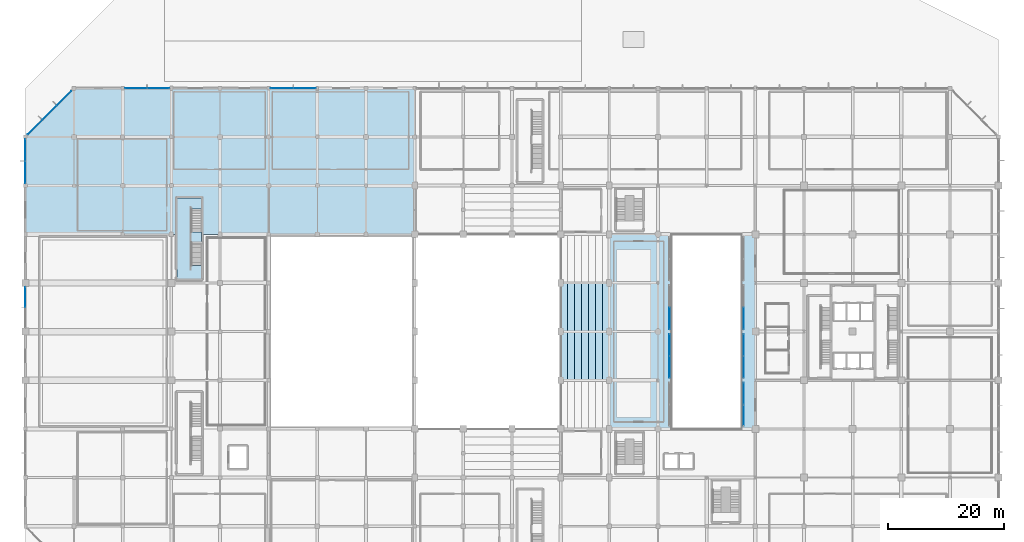
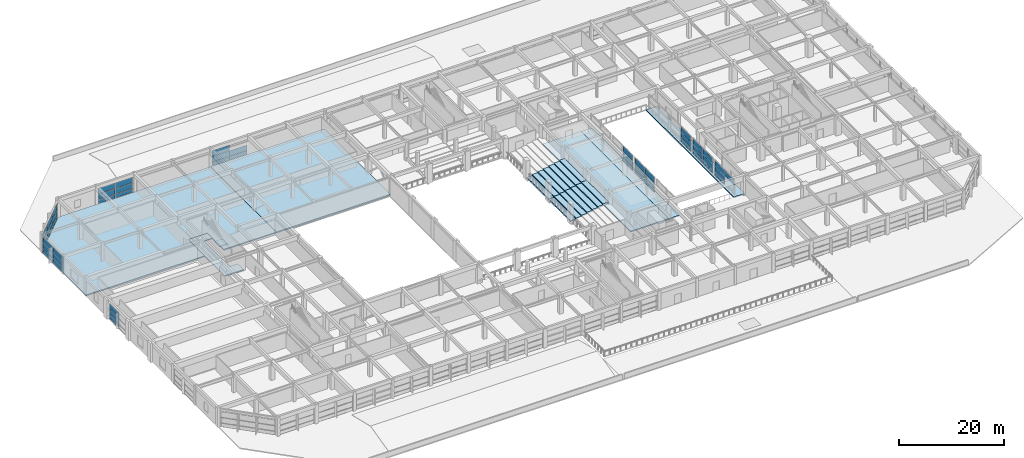
# One storey, part 38 of 60: 51 plates, 9 slabs, 11 elements without a shape of their own.
"""IFC4 building model written with IfcOpenShell, lengths in metres."""

from ifc_helpers import new_model, si_unit, direction, frame, origin, origin_2d, place, context, subcontext, project, spatial, polyline, rectangle, outline, extrude, material, layer, layer_set, type_object, element, aggregate, save


model = new_model("IFC4")

# Units and contexts
model_context = context("Model", 3, precision=1e-05, world=origin(), true_north=direction((0.0, 1.0)))
body_context = subcontext(model_context, "Body", "Model", "MODEL_VIEW")
ifc_project = project(units=[si_unit("LENGTHUNIT", "METRE"), si_unit("AREAUNIT", "SQUARE_METRE"), si_unit("VOLUMEUNIT", "CUBIC_METRE"), si_unit("PLANEANGLEUNIT", "RADIAN"), si_unit("MASSUNIT", "GRAM", prefix="KILO")], contexts=[model_context])

# Site, building, storey
site_placement = place(None, origin())
site = spatial("IfcSite", under=ifc_project, at=site_placement, CompositionType="ELEMENT")
building_placement = place(site_placement, origin())
building = spatial("IfcBuilding", under=site, at=building_placement, Name="Xuanlan Plaza Opera House", CompositionType="ELEMENT")
storey_placement = place(building_placement, frame((0.0, 0.0, 9.89990234375)))
storey = spatial("IfcBuildingStorey", under=building, at=storey_placement, Name="L02", CompositionType="ELEMENT", Elevation=9.89990234375)

# Curtain wall, plates
ifc_material_1 = material(Name="Anodised Aluminium 6063-T6 and Low-E Glass", Category="aluminium")
curtain_wall_type_1 = type_object("IfcCurtainWallType", Name="ENV-CW-CW-03", PredefinedType="USERDEFINED", material=ifc_material_1)
curtain_wall_1_placement = place(storey_placement, origin())
curtain_wall_1 = element("IfcCurtainWall", 1, at=curtain_wall_1_placement, inside=storey, type_object=curtain_wall_type_1, Name="Unitised Curtain Wall L02-051", ObjectType="UNITISED CURTAIN WALL", PredefinedType="USERDEFINED")
ifc_material_2 = material(Name="Laminated Acoustic Double Glazing", Category="glass")
ifc_layer_1 = layer(ifc_material_2, 0.031982421875)
ifc_layer_set_1 = layer_set([ifc_layer_1], Name="Laminated Acoustic Double Glazing")
plate_type_1 = type_object("IfcPlateType", Name="ENV-CWP-02", PredefinedType="CURTAIN_PANEL", material=ifc_layer_set_1)
plate_1_placement = place(storey_placement, frame((0.0, 64.767578125, 0.065185546875), z_axis=(0.0, 0.0, 1.0), x_axis=(0.0, -1.0, 0.0)))
plate_1 = element("IfcPlate", 2, at=plate_1_placement, type_object=plate_type_1, Name="CW-03 panel 1.1", PredefinedType="CURTAIN_PANEL", context=body_context, shape_type="SweptSolid", body=[
    extrude(rectangle(XDim=3.445068359375, YDim=0.031982421875, at=origin_2d()), origin(), (0.0, 0.0, 1.0), 0.8525390625),
])
plate_2_placement = place(storey_placement, frame((0.0, 64.767578125, 0.982421875), z_axis=(0.0, 0.0, 1.0), x_axis=(0.0, -1.0, 0.0)))
plate_2 = element("IfcPlate", 3, at=plate_2_placement, type_object=plate_type_1, Name="CW-03 panel 1.2", PredefinedType="CURTAIN_PANEL", context=body_context, shape_type="SweptSolid", body=[
    extrude(rectangle(XDim=3.445068359375, YDim=0.031982421875, at=origin_2d()), origin(), (0.0, 0.0, 1.0), 1.235107421875),
])
plate_3_placement = place(storey_placement, frame((0.0, 64.767578125, 2.282470703125), z_axis=(0.0, 0.0, 1.0), x_axis=(0.0, -1.0, 0.0)))
plate_3 = element("IfcPlate", 4, at=plate_3_placement, type_object=plate_type_1, Name="CW-03 panel 1.3", PredefinedType="CURTAIN_PANEL", context=body_context, shape_type="SweptSolid", body=[
    extrude(rectangle(XDim=3.445068359375, YDim=0.031982421875, at=origin_2d()), origin(), (0.0, 0.0, 1.0), 1.33251953125),
])
aggregate(curtain_wall_1, [plate_1, plate_2, plate_3])

curtain_wall_type_2 = type_object("IfcCurtainWallType", Name="ENV-CW-CW-04", PredefinedType="USERDEFINED", material=ifc_material_1)
curtain_wall_2_placement = place(storey_placement, origin())
curtain_wall_2 = element("IfcCurtainWall", 5, at=curtain_wall_2_placement, inside=storey, type_object=curtain_wall_type_2, Name="Unitised Curtain Wall L02-048", ObjectType="UNITISED CURTAIN WALL", PredefinedType="USERDEFINED")
ifc_layer_2 = layer(ifc_material_2, 0.035888671875)
ifc_layer_set_2 = layer_set([ifc_layer_2], Name="Laminated Acoustic Double Glazing")
plate_type_2 = type_object("IfcPlateType", Name="ENV-CWP-03", PredefinedType="CURTAIN_PANEL", material=ifc_layer_set_2)
plate_4_placement = place(storey_placement, frame((0.0, 90.135009765625, 0.090087890625), z_axis=(0.0, 0.0, 1.0), x_axis=(0.0, -1.0, 0.0)))
plate_4 = element("IfcPlate", 6, at=plate_4_placement, type_object=plate_type_2, Name="CW-04 panel 1.1", PredefinedType="CURTAIN_PANEL", context=body_context, shape_type="SweptSolid", body=[
    extrude(rectangle(XDim=3.75, YDim=0.035888671875, at=origin_2d()), origin(), (0.0, 0.0, 1.0), 0.81494140625),
])
plate_5_placement = place(storey_placement, frame((0.0, 90.135009765625, 0.9951171875), z_axis=(0.0, 0.0, 1.0), x_axis=(0.0, -1.0, 0.0)))
plate_5 = element("IfcPlate", 7, at=plate_5_placement, type_object=plate_type_2, Name="CW-04 panel 1.2", PredefinedType="CURTAIN_PANEL", context=body_context, shape_type="SweptSolid", body=[
    extrude(rectangle(XDim=3.75, YDim=0.035888671875, at=origin_2d()), origin(), (0.0, 0.0, 1.0), 1.2099609375),
])
plate_6_placement = place(storey_placement, frame((0.0, 90.135009765625, 2.295166015625), z_axis=(0.0, 0.0, 1.0), x_axis=(0.0, -1.0, 0.0)))
plate_6 = element("IfcPlate", 8, at=plate_6_placement, type_object=plate_type_2, Name="CW-04 panel 1.3", PredefinedType="CURTAIN_PANEL", context=body_context, shape_type="SweptSolid", body=[
    extrude(rectangle(XDim=3.75, YDim=0.035888671875, at=origin_2d()), origin(), (0.0, 0.0, 1.0), 1.294921875),
])
plate_7_placement = place(storey_placement, frame((0.0, 86.31494140625, 0.090087890625), z_axis=(0.0, 0.0, 1.0), x_axis=(0.0, -1.0, 0.0)))
plate_7 = element("IfcPlate", 9, at=plate_7_placement, type_object=plate_type_2, Name="CW-04 panel 2.1", PredefinedType="CURTAIN_PANEL", context=body_context, shape_type="SweptSolid", body=[
    extrude(rectangle(XDim=3.75, YDim=0.035888671875, at=origin_2d()), origin(), (0.0, 0.0, 1.0), 0.81494140625),
])
plate_8_placement = place(storey_placement, frame((0.0, 86.31494140625, 0.9951171875), z_axis=(0.0, 0.0, 1.0), x_axis=(0.0, -1.0, 0.0)))
plate_8 = element("IfcPlate", 10, at=plate_8_placement, type_object=plate_type_2, Name="CW-04 panel 2.2", PredefinedType="CURTAIN_PANEL", context=body_context, shape_type="SweptSolid", body=[
    extrude(rectangle(XDim=3.75, YDim=0.035888671875, at=origin_2d()), origin(), (0.0, 0.0, 1.0), 1.2099609375),
])
plate_9_placement = place(storey_placement, frame((0.0, 86.31494140625, 2.295166015625), z_axis=(0.0, 0.0, 1.0), x_axis=(0.0, -1.0, 0.0)))
plate_9 = element("IfcPlate", 11, at=plate_9_placement, type_object=plate_type_2, Name="CW-04 panel 2.3", PredefinedType="CURTAIN_PANEL", context=body_context, shape_type="SweptSolid", body=[
    extrude(rectangle(XDim=3.75, YDim=0.035888671875, at=origin_2d()), origin(), (0.0, 0.0, 1.0), 1.294921875),
])
aggregate(curtain_wall_2, [plate_4, plate_5, plate_6, plate_7, plate_8, plate_9])

curtain_wall_type_3 = type_object("IfcCurtainWallType", Name="ENV-CW-CW-01", PredefinedType="USERDEFINED", material=ifc_material_1)
curtain_wall_3_placement = place(storey_placement, origin())
curtain_wall_3 = element("IfcCurtainWall", 12, at=curtain_wall_3_placement, inside=storey, type_object=curtain_wall_type_3, Name="Unitised Curtain Wall L02-045", ObjectType="UNITISED CURTAIN WALL", PredefinedType="USERDEFINED")
ifc_layer_3 = layer(ifc_material_2, 0.0400390625)
ifc_layer_set_3 = layer_set([ifc_layer_3], Name="Laminated Acoustic Double Glazing")
plate_type_3 = type_object("IfcPlateType", Name="ENV-CWP-04", PredefinedType="CURTAIN_PANEL", material=ifc_layer_set_3)
plate_10_placement = place(storey_placement, frame((22.95751953125, 100.800048828125, 0.080078125), z_axis=(0.0, 0.0, 1.0), x_axis=(-1.0, 0.0, 0.0)))
plate_10 = element("IfcPlate", 13, at=plate_10_placement, type_object=plate_type_3, Name="CW-01 panel 1.1", PredefinedType="CURTAIN_PANEL", context=body_context, shape_type="SweptSolid", body=[
    extrude(rectangle(XDim=3.784912109375, YDim=0.0400390625, at=origin_2d()), origin(), (0.0, 0.0, 1.0), 0.830078125),
])
plate_11_placement = place(storey_placement, frame((22.95751953125, 100.800048828125, 0.990234375), z_axis=(0.0, 0.0, 1.0), x_axis=(-1.0, 0.0, 0.0)))
plate_11 = element("IfcPlate", 14, at=plate_11_placement, type_object=plate_type_3, Name="CW-01 panel 1.2", PredefinedType="CURTAIN_PANEL", context=body_context, shape_type="SweptSolid", body=[
    extrude(rectangle(XDim=3.784912109375, YDim=0.0400390625, at=origin_2d()), origin(), (0.0, 0.0, 1.0), 1.219970703125),
])
plate_12_placement = place(storey_placement, frame((22.95751953125, 100.800048828125, 2.2900390625), z_axis=(0.0, 0.0, 1.0), x_axis=(-1.0, 0.0, 0.0)))
plate_12 = element("IfcPlate", 15, at=plate_12_placement, type_object=plate_type_3, Name="CW-01 panel 1.3", PredefinedType="CURTAIN_PANEL", context=body_context, shape_type="SweptSolid", body=[
    extrude(rectangle(XDim=3.784912109375, YDim=0.0400390625, at=origin_2d()), origin(), (0.0, 0.0, 1.0), 1.31005859375),
])
plate_13_placement = place(storey_placement, frame((19.092529296875, 100.800048828125, 0.080078125), z_axis=(0.0, 0.0, 1.0), x_axis=(-1.0, 0.0, 0.0)))
plate_13 = element("IfcPlate", 16, at=plate_13_placement, type_object=plate_type_3, Name="CW-01 panel 2.1", PredefinedType="CURTAIN_PANEL", context=body_context, shape_type="SweptSolid", body=[
    extrude(rectangle(XDim=3.784912109375, YDim=0.0400390625, at=origin_2d()), origin(), (0.0, 0.0, 1.0), 0.830078125),
])
plate_14_placement = place(storey_placement, frame((19.092529296875, 100.800048828125, 0.990234375), z_axis=(0.0, 0.0, 1.0), x_axis=(-1.0, 0.0, 0.0)))
plate_14 = element("IfcPlate", 17, at=plate_14_placement, type_object=plate_type_3, Name="CW-01 panel 2.2", PredefinedType="CURTAIN_PANEL", context=body_context, shape_type="SweptSolid", body=[
    extrude(rectangle(XDim=3.784912109375, YDim=0.0400390625, at=origin_2d()), origin(), (0.0, 0.0, 1.0), 1.219970703125),
])
plate_15_placement = place(storey_placement, frame((19.092529296875, 100.800048828125, 2.2900390625), z_axis=(0.0, 0.0, 1.0), x_axis=(-1.0, 0.0, 0.0)))
plate_15 = element("IfcPlate", 18, at=plate_15_placement, type_object=plate_type_3, Name="CW-01 panel 2.3", PredefinedType="CURTAIN_PANEL", context=body_context, shape_type="SweptSolid", body=[
    extrude(rectangle(XDim=3.784912109375, YDim=0.0400390625, at=origin_2d()), origin(), (0.0, 0.0, 1.0), 1.31005859375),
])
aggregate(curtain_wall_3, [plate_10, plate_11, plate_12, plate_13, plate_14, plate_15])

curtain_wall_type_4 = type_object("IfcCurtainWallType", Name="ENV-CW-CW-02", PredefinedType="USERDEFINED", material=ifc_material_1)
curtain_wall_4_placement = place(storey_placement, origin())
curtain_wall_4 = element("IfcCurtainWall", 19, at=curtain_wall_4_placement, inside=storey, type_object=curtain_wall_type_4, Name="Unitised Curtain Wall L02-042", ObjectType="UNITISED CURTAIN WALL", PredefinedType="USERDEFINED")
ifc_layer_4 = layer(ifc_material_2, 0.0439453125)
ifc_layer_set_4 = layer_set([ifc_layer_4], Name="Laminated Acoustic Double Glazing")
plate_type_4 = type_object("IfcPlateType", Name="ENV-CWP-05", PredefinedType="CURTAIN_PANEL", material=ifc_layer_set_4)
plate_16_placement = place(storey_placement, frame((48.179931640625, 100.800048828125, 0.0751953125), z_axis=(0.0, 0.0, 1.0), x_axis=(-1.0, 0.0, 0.0)))
plate_16 = element("IfcPlate", 20, at=plate_16_placement, type_object=plate_type_4, Name="CW-02 panel 1.1", PredefinedType="CURTAIN_PANEL", context=body_context, shape_type="SweptSolid", body=[
    extrude(rectangle(XDim=3.820068359375, YDim=0.0439453125, at=origin_2d()), origin(), (0.0, 0.0, 1.0), 0.83740234375),
])
plate_17_placement = place(storey_placement, frame((48.179931640625, 100.800048828125, 0.987548828125), z_axis=(0.0, 0.0, 1.0), x_axis=(-1.0, 0.0, 0.0)))
plate_17 = element("IfcPlate", 21, at=plate_17_placement, type_object=plate_type_4, Name="CW-02 panel 1.2", PredefinedType="CURTAIN_PANEL", context=body_context, shape_type="SweptSolid", body=[
    extrude(rectangle(XDim=3.820068359375, YDim=0.0439453125, at=origin_2d()), origin(), (0.0, 0.0, 1.0), 1.22509765625),
])
plate_18_placement = place(storey_placement, frame((44.294921875, 100.800048828125, 0.0751953125), z_axis=(0.0, 0.0, 1.0), x_axis=(-1.0, 0.0, 0.0)))
plate_18 = element("IfcPlate", 22, at=plate_18_placement, type_object=plate_type_4, Name="CW-02 panel 2.1", PredefinedType="CURTAIN_PANEL", context=body_context, shape_type="SweptSolid", body=[
    extrude(rectangle(XDim=3.820068359375, YDim=0.0439453125, at=origin_2d()), origin(), (0.0, 0.0, 1.0), 0.83740234375),
])
plate_19_placement = place(storey_placement, frame((44.294921875, 100.800048828125, 0.987548828125), z_axis=(0.0, 0.0, 1.0), x_axis=(-1.0, 0.0, 0.0)))
plate_19 = element("IfcPlate", 23, at=plate_19_placement, type_object=plate_type_4, Name="CW-02 panel 2.2", PredefinedType="CURTAIN_PANEL", context=body_context, shape_type="SweptSolid", body=[
    extrude(rectangle(XDim=3.820068359375, YDim=0.0439453125, at=origin_2d()), origin(), (0.0, 0.0, 1.0), 1.22509765625),
])
plate_20_placement = place(storey_placement, frame((44.294921875, 100.800048828125, 2.28759765625), z_axis=(0.0, 0.0, 1.0), x_axis=(-1.0, 0.0, 0.0)))
plate_20 = element("IfcPlate", 24, at=plate_20_placement, type_object=plate_type_4, Name="CW-02 panel 2.3", PredefinedType="CURTAIN_PANEL", context=body_context, shape_type="SweptSolid", body=[
    extrude(rectangle(XDim=3.820068359375, YDim=0.0439453125, at=origin_2d()), origin(), (0.0, 0.0, 1.0), 1.3173828125),
])
aggregate(curtain_wall_4, [plate_16, plate_17, plate_18, plate_19, plate_20])

curtain_wall_5_placement = place(storey_placement, origin())
curtain_wall_5 = element("IfcCurtainWall", 25, at=curtain_wall_5_placement, inside=storey, type_object=curtain_wall_type_1, Name="Unitised Curtain Wall L02-047", ObjectType="UNITISED CURTAIN WALL", PredefinedType="USERDEFINED")
plate_21_placement = place(storey_placement, frame((6.680908203125, 99.080810546875, 0.0751953125), z_axis=(0.0, 0.0, 1.0), x_axis=(-0.707106781187, -0.707106781187, 0.0)))
plate_21 = element("IfcPlate", 26, at=plate_21_placement, type_object=plate_type_4, Name="CW-03 panel 1.1", PredefinedType="CURTAIN_PANEL", context=body_context, shape_type="SweptSolid", body=[
    extrude(rectangle(XDim=3.462646484375, YDim=0.0439453125, at=origin_2d()), origin(), (0.0, 0.0, 1.0), 0.83740234375),
])
plate_22_placement = place(storey_placement, frame((6.680908203125, 99.080810546875, 0.987548828125), z_axis=(0.0, 0.0, 1.0), x_axis=(-0.707106781187, -0.707106781187, 0.0)))
plate_22 = element("IfcPlate", 27, at=plate_22_placement, type_object=plate_type_4, Name="CW-03 panel 1.2", PredefinedType="CURTAIN_PANEL", context=body_context, shape_type="SweptSolid", body=[
    extrude(rectangle(XDim=3.462646484375, YDim=0.0439453125, at=origin_2d()), origin(), (0.0, 0.0, 1.0), 1.22509765625),
])
plate_23_placement = place(storey_placement, frame((6.680908203125, 99.080810546875, 2.28759765625), z_axis=(0.0, 0.0, 1.0), x_axis=(-0.707106781187, -0.707106781187, 0.0)))
plate_23 = element("IfcPlate", 28, at=plate_23_placement, type_object=plate_type_4, Name="CW-03 panel 1.3", PredefinedType="CURTAIN_PANEL", context=body_context, shape_type="SweptSolid", body=[
    extrude(rectangle(XDim=3.462646484375, YDim=0.0439453125, at=origin_2d()), origin(), (0.0, 0.0, 1.0), 1.3173828125),
])
plate_24_placement = place(storey_placement, frame((4.175048828125, 96.574951171875, 0.0751953125), z_axis=(0.0, 0.0, 1.0), x_axis=(-0.707106781187, -0.707106781187, 0.0)))
plate_24 = element("IfcPlate", 29, at=plate_24_placement, type_object=plate_type_4, Name="CW-03 panel 2.1", PredefinedType="CURTAIN_PANEL", context=body_context, shape_type="SweptSolid", body=[
    extrude(rectangle(XDim=3.4951171875, YDim=0.0439453125, at=origin_2d()), origin(), (0.0, 0.0, 1.0), 0.83740234375),
])
plate_25_placement = place(storey_placement, frame((4.175048828125, 96.574951171875, 0.987548828125), z_axis=(0.0, 0.0, 1.0), x_axis=(-0.707106781187, -0.707106781187, 0.0)))
plate_25 = element("IfcPlate", 30, at=plate_25_placement, type_object=plate_type_4, Name="CW-03 panel 2.2", PredefinedType="CURTAIN_PANEL", context=body_context, shape_type="SweptSolid", body=[
    extrude(rectangle(XDim=3.4951171875, YDim=0.0439453125, at=origin_2d()), origin(), (0.0, 0.0, 1.0), 1.22509765625),
])
plate_26_placement = place(storey_placement, frame((4.175048828125, 96.574951171875, 2.28759765625), z_axis=(0.0, 0.0, 1.0), x_axis=(-0.707106781187, -0.707106781187, 0.0)))
plate_26 = element("IfcPlate", 31, at=plate_26_placement, type_object=plate_type_4, Name="CW-03 panel 2.3", PredefinedType="CURTAIN_PANEL", context=body_context, shape_type="SweptSolid", body=[
    extrude(rectangle(XDim=3.4951171875, YDim=0.0439453125, at=origin_2d()), origin(), (0.0, 0.0, 1.0), 1.3173828125),
])
plate_27_placement = place(storey_placement, frame((1.669189453125, 94.069091796875, 0.0751953125), z_axis=(0.0, 0.0, 1.0), x_axis=(-0.707106781187, -0.707106781187, 0.0)))
plate_27 = element("IfcPlate", 32, at=plate_27_placement, type_object=plate_type_4, Name="CW-03 panel 3.1", PredefinedType="CURTAIN_PANEL", context=body_context, shape_type="SweptSolid", body=[
    extrude(rectangle(XDim=3.462646484375, YDim=0.0439453125, at=origin_2d()), origin(), (0.0, 0.0, 1.0), 0.83740234375),
])
plate_28_placement = place(storey_placement, frame((1.669189453125, 94.069091796875, 0.987548828125), z_axis=(0.0, 0.0, 1.0), x_axis=(-0.707106781187, -0.707106781187, 0.0)))
plate_28 = element("IfcPlate", 33, at=plate_28_placement, type_object=plate_type_4, Name="CW-03 panel 3.2", PredefinedType="CURTAIN_PANEL", context=body_context, shape_type="SweptSolid", body=[
    extrude(rectangle(XDim=3.462646484375, YDim=0.0439453125, at=origin_2d()), origin(), (0.0, 0.0, 1.0), 1.22509765625),
])
plate_29_placement = place(storey_placement, frame((1.669189453125, 94.069091796875, 2.28759765625), z_axis=(0.0, 0.0, 1.0), x_axis=(-0.707106781187, -0.707106781187, 0.0)))
plate_29 = element("IfcPlate", 34, at=plate_29_placement, type_object=plate_type_4, Name="CW-03 panel 3.3", PredefinedType="CURTAIN_PANEL", context=body_context, shape_type="SweptSolid", body=[
    extrude(rectangle(XDim=3.462646484375, YDim=0.0439453125, at=origin_2d()), origin(), (0.0, 0.0, 1.0), 1.3173828125),
])
aggregate(curtain_wall_5, [plate_21, plate_22, plate_23, plate_24, plate_25, plate_26, plate_27, plate_28, plate_29])

curtain_wall_type_5 = type_object("IfcCurtainWallType", Name="ENV-CW-CW-06", PredefinedType="USERDEFINED", material=ifc_material_1)
curtain_wall_6_placement = place(storey_placement, origin())
curtain_wall_6 = element("IfcCurtainWall", 35, at=curtain_wall_6_placement, inside=storey, type_object=curtain_wall_type_5, Name="Acoustic Glazed Wall ATR-L02-12", ObjectType="ACOUSTIC GLAZED WALL", PredefinedType="USERDEFINED")
plate_30_placement = place(storey_placement, frame((111.199951171875, 52.697509765625, 0.090087890625), z_axis=(0.0, 0.0, 1.0), x_axis=(0.0, 1.0, 0.0)))
plate_30 = element("IfcPlate", 36, at=plate_30_placement, type_object=plate_type_4, Name="CW-06 panel 1.1", PredefinedType="CURTAIN_PANEL", context=body_context, shape_type="SweptSolid", body=[
    extrude(rectangle(XDim=3.715087890625, YDim=0.0439453125, at=origin_2d()), origin(), (0.0, 0.0, 1.0), 0.81494140625),
])
plate_31_placement = place(storey_placement, frame((111.199951171875, 52.697509765625, 0.9951171875), z_axis=(0.0, 0.0, 1.0), x_axis=(0.0, 1.0, 0.0)))
plate_31 = element("IfcPlate", 37, at=plate_31_placement, type_object=plate_type_4, Name="CW-06 panel 1.2", PredefinedType="CURTAIN_PANEL", context=body_context, shape_type="SweptSolid", body=[
    extrude(rectangle(XDim=3.715087890625, YDim=0.0439453125, at=origin_2d()), origin(), (0.0, 0.0, 1.0), 1.2099609375),
])
plate_32_placement = place(storey_placement, frame((111.199951171875, 52.697509765625, 2.295166015625), z_axis=(0.0, 0.0, 1.0), x_axis=(0.0, 1.0, 0.0)))
plate_32 = element("IfcPlate", 38, at=plate_32_placement, type_object=plate_type_4, Name="CW-06 panel 1.3", PredefinedType="CURTAIN_PANEL", context=body_context, shape_type="SweptSolid", body=[
    extrude(rectangle(XDim=3.715087890625, YDim=0.0439453125, at=origin_2d()), origin(), (0.0, 0.0, 1.0), 1.294921875),
])
plate_33_placement = place(storey_placement, frame((111.199951171875, 56.50244140625, 0.090087890625), z_axis=(0.0, 0.0, 1.0), x_axis=(0.0, 1.0, 0.0)))
plate_33 = element("IfcPlate", 39, at=plate_33_placement, type_object=plate_type_4, Name="CW-06 panel 2.1", PredefinedType="CURTAIN_PANEL", context=body_context, shape_type="SweptSolid", body=[
    extrude(rectangle(XDim=3.715087890625, YDim=0.0439453125, at=origin_2d()), origin(), (0.0, 0.0, 1.0), 0.81494140625),
])
plate_34_placement = place(storey_placement, frame((111.199951171875, 56.50244140625, 0.9951171875), z_axis=(0.0, 0.0, 1.0), x_axis=(0.0, 1.0, 0.0)))
plate_34 = element("IfcPlate", 40, at=plate_34_placement, type_object=plate_type_4, Name="CW-06 panel 2.2", PredefinedType="CURTAIN_PANEL", context=body_context, shape_type="SweptSolid", body=[
    extrude(rectangle(XDim=3.715087890625, YDim=0.0439453125, at=origin_2d()), origin(), (0.0, 0.0, 1.0), 1.2099609375),
])
plate_35_placement = place(storey_placement, frame((111.199951171875, 56.50244140625, 2.295166015625), z_axis=(0.0, 0.0, 1.0), x_axis=(0.0, 1.0, 0.0)))
plate_35 = element("IfcPlate", 41, at=plate_35_placement, type_object=plate_type_4, Name="CW-06 panel 2.3", PredefinedType="CURTAIN_PANEL", context=body_context, shape_type="SweptSolid", body=[
    extrude(rectangle(XDim=3.715087890625, YDim=0.0439453125, at=origin_2d()), origin(), (0.0, 0.0, 1.0), 1.294921875),
])
aggregate(curtain_wall_6, [plate_30, plate_31, plate_32, plate_33, plate_34, plate_35])

curtain_wall_7_placement = place(storey_placement, origin())
curtain_wall_7 = element("IfcCurtainWall", 42, at=curtain_wall_7_placement, inside=storey, type_object=curtain_wall_type_5, Name="Acoustic Glazed Wall ATR-L02-13", ObjectType="ACOUSTIC GLAZED WALL", PredefinedType="USERDEFINED")
plate_36_placement = place(storey_placement, frame((111.199951171875, 61.097412109375, 0.090087890625), z_axis=(0.0, 0.0, 1.0), x_axis=(0.0, 1.0, 0.0)))
plate_36 = element("IfcPlate", 43, at=plate_36_placement, type_object=plate_type_4, Name="CW-06 panel 1.1", PredefinedType="CURTAIN_PANEL", context=body_context, shape_type="SweptSolid", body=[
    extrude(rectangle(XDim=3.715087890625, YDim=0.0439453125, at=origin_2d()), origin(), (0.0, 0.0, 1.0), 0.81494140625),
])
plate_37_placement = place(storey_placement, frame((111.199951171875, 61.097412109375, 0.9951171875), z_axis=(0.0, 0.0, 1.0), x_axis=(0.0, 1.0, 0.0)))
plate_37 = element("IfcPlate", 44, at=plate_37_placement, type_object=plate_type_4, Name="CW-06 panel 1.2", PredefinedType="CURTAIN_PANEL", context=body_context, shape_type="SweptSolid", body=[
    extrude(rectangle(XDim=3.715087890625, YDim=0.0439453125, at=origin_2d()), origin(), (0.0, 0.0, 1.0), 1.2099609375),
])
plate_38_placement = place(storey_placement, frame((111.199951171875, 61.097412109375, 2.295166015625), z_axis=(0.0, 0.0, 1.0), x_axis=(0.0, 1.0, 0.0)))
plate_38 = element("IfcPlate", 45, at=plate_38_placement, type_object=plate_type_4, Name="CW-06 panel 1.3", PredefinedType="CURTAIN_PANEL", context=body_context, shape_type="SweptSolid", body=[
    extrude(rectangle(XDim=3.715087890625, YDim=0.0439453125, at=origin_2d()), origin(), (0.0, 0.0, 1.0), 1.294921875),
])
aggregate(curtain_wall_7, [plate_36, plate_37, plate_38])

curtain_wall_8_placement = place(storey_placement, origin())
curtain_wall_8 = element("IfcCurtainWall", 46, at=curtain_wall_8_placement, inside=storey, type_object=curtain_wall_type_5, Name="Acoustic Glazed Wall ATR-L02-21", ObjectType="ACOUSTIC GLAZED WALL", PredefinedType="USERDEFINED")
plate_39_placement = place(storey_placement, frame((124.0, 44.37255859375, 2.295166015625), z_axis=(0.0, 0.0, 1.0), x_axis=(0.0, 1.0, 0.0)))
plate_39 = element("IfcPlate", 47, at=plate_39_placement, type_object=plate_type_4, Name="CW-06 panel 1.3", PredefinedType="CURTAIN_PANEL", context=body_context, shape_type="SweptSolid", body=[
    extrude(rectangle(XDim=3.6650390625, YDim=0.0439453125, at=origin_2d()), origin(), (0.0, 0.0, 1.0), 1.294921875),
])
plate_40_placement = place(storey_placement, frame((124.0, 48.12744140625, 0.090087890625), z_axis=(0.0, 0.0, 1.0), x_axis=(0.0, 1.0, 0.0)))
plate_40 = element("IfcPlate", 48, at=plate_40_placement, type_object=plate_type_4, Name="CW-06 panel 2.1", PredefinedType="CURTAIN_PANEL", context=body_context, shape_type="SweptSolid", body=[
    extrude(rectangle(XDim=3.6650390625, YDim=0.0439453125, at=origin_2d()), origin(), (0.0, 0.0, 1.0), 0.81494140625),
])
plate_41_placement = place(storey_placement, frame((124.0, 48.12744140625, 0.9951171875), z_axis=(0.0, 0.0, 1.0), x_axis=(0.0, 1.0, 0.0)))
plate_41 = element("IfcPlate", 49, at=plate_41_placement, type_object=plate_type_4, Name="CW-06 panel 2.2", PredefinedType="CURTAIN_PANEL", context=body_context, shape_type="SweptSolid", body=[
    extrude(rectangle(XDim=3.6650390625, YDim=0.0439453125, at=origin_2d()), origin(), (0.0, 0.0, 1.0), 1.2099609375),
])
plate_42_placement = place(storey_placement, frame((124.0, 48.12744140625, 2.295166015625), z_axis=(0.0, 0.0, 1.0), x_axis=(0.0, 1.0, 0.0)))
plate_42 = element("IfcPlate", 50, at=plate_42_placement, type_object=plate_type_4, Name="CW-06 panel 2.3", PredefinedType="CURTAIN_PANEL", context=body_context, shape_type="SweptSolid", body=[
    extrude(rectangle(XDim=3.6650390625, YDim=0.0439453125, at=origin_2d()), origin(), (0.0, 0.0, 1.0), 1.294921875),
])
aggregate(curtain_wall_8, [plate_39, plate_40, plate_41, plate_42])

curtain_wall_9_placement = place(storey_placement, origin())
curtain_wall_9 = element("IfcCurtainWall", 51, at=curtain_wall_9_placement, inside=storey, type_object=curtain_wall_type_5, Name="Acoustic Glazed Wall ATR-L02-22", ObjectType="ACOUSTIC GLAZED WALL", PredefinedType="USERDEFINED")
plate_43_placement = place(storey_placement, frame((124.0, 52.697509765625, 0.090087890625), z_axis=(0.0, 0.0, 1.0), x_axis=(0.0, 1.0, 0.0)))
plate_43 = element("IfcPlate", 52, at=plate_43_placement, type_object=plate_type_4, Name="CW-06 panel 1.1", PredefinedType="CURTAIN_PANEL", context=body_context, shape_type="SweptSolid", body=[
    extrude(rectangle(XDim=3.715087890625, YDim=0.0439453125, at=origin_2d()), origin(), (0.0, 0.0, 1.0), 0.81494140625),
])
plate_44_placement = place(storey_placement, frame((124.0, 52.697509765625, 0.9951171875), z_axis=(0.0, 0.0, 1.0), x_axis=(0.0, 1.0, 0.0)))
plate_44 = element("IfcPlate", 53, at=plate_44_placement, type_object=plate_type_4, Name="CW-06 panel 1.2", PredefinedType="CURTAIN_PANEL", context=body_context, shape_type="SweptSolid", body=[
    extrude(rectangle(XDim=3.715087890625, YDim=0.0439453125, at=origin_2d()), origin(), (0.0, 0.0, 1.0), 1.2099609375),
])
plate_45_placement = place(storey_placement, frame((124.0, 52.697509765625, 2.295166015625), z_axis=(0.0, 0.0, 1.0), x_axis=(0.0, 1.0, 0.0)))
plate_45 = element("IfcPlate", 54, at=plate_45_placement, type_object=plate_type_4, Name="CW-06 panel 1.3", PredefinedType="CURTAIN_PANEL", context=body_context, shape_type="SweptSolid", body=[
    extrude(rectangle(XDim=3.715087890625, YDim=0.0439453125, at=origin_2d()), origin(), (0.0, 0.0, 1.0), 1.294921875),
])
plate_46_placement = place(storey_placement, frame((124.0, 56.50244140625, 0.090087890625), z_axis=(0.0, 0.0, 1.0), x_axis=(0.0, 1.0, 0.0)))
plate_46 = element("IfcPlate", 55, at=plate_46_placement, type_object=plate_type_4, Name="CW-06 panel 2.1", PredefinedType="CURTAIN_PANEL", context=body_context, shape_type="SweptSolid", body=[
    extrude(rectangle(XDim=3.715087890625, YDim=0.0439453125, at=origin_2d()), origin(), (0.0, 0.0, 1.0), 0.81494140625),
])
plate_47_placement = place(storey_placement, frame((124.0, 56.50244140625, 0.9951171875), z_axis=(0.0, 0.0, 1.0), x_axis=(0.0, 1.0, 0.0)))
plate_47 = element("IfcPlate", 56, at=plate_47_placement, type_object=plate_type_4, Name="CW-06 panel 2.2", PredefinedType="CURTAIN_PANEL", context=body_context, shape_type="SweptSolid", body=[
    extrude(rectangle(XDim=3.715087890625, YDim=0.0439453125, at=origin_2d()), origin(), (0.0, 0.0, 1.0), 1.2099609375),
])
plate_48_placement = place(storey_placement, frame((124.0, 56.50244140625, 2.295166015625), z_axis=(0.0, 0.0, 1.0), x_axis=(0.0, 1.0, 0.0)))
plate_48 = element("IfcPlate", 57, at=plate_48_placement, type_object=plate_type_4, Name="CW-06 panel 2.3", PredefinedType="CURTAIN_PANEL", context=body_context, shape_type="SweptSolid", body=[
    extrude(rectangle(XDim=3.715087890625, YDim=0.0439453125, at=origin_2d()), origin(), (0.0, 0.0, 1.0), 1.294921875),
])
aggregate(curtain_wall_9, [plate_43, plate_44, plate_45, plate_46, plate_47, plate_48])

curtain_wall_10_placement = place(storey_placement, origin())
curtain_wall_10 = element("IfcCurtainWall", 58, at=curtain_wall_10_placement, inside=storey, type_object=curtain_wall_type_5, Name="Acoustic Glazed Wall ATR-L02-23", ObjectType="ACOUSTIC GLAZED WALL", PredefinedType="USERDEFINED")
plate_49_placement = place(storey_placement, frame((124.0, 61.097412109375, 0.090087890625), z_axis=(0.0, 0.0, 1.0), x_axis=(0.0, 1.0, 0.0)))
plate_49 = element("IfcPlate", 59, at=plate_49_placement, type_object=plate_type_4, Name="CW-06 panel 1.1", PredefinedType="CURTAIN_PANEL", context=body_context, shape_type="SweptSolid", body=[
    extrude(rectangle(XDim=3.715087890625, YDim=0.0439453125, at=origin_2d()), origin(), (0.0, 0.0, 1.0), 0.81494140625),
])
plate_50_placement = place(storey_placement, frame((124.0, 61.097412109375, 0.9951171875), z_axis=(0.0, 0.0, 1.0), x_axis=(0.0, 1.0, 0.0)))
plate_50 = element("IfcPlate", 60, at=plate_50_placement, type_object=plate_type_4, Name="CW-06 panel 1.2", PredefinedType="CURTAIN_PANEL", context=body_context, shape_type="SweptSolid", body=[
    extrude(rectangle(XDim=3.715087890625, YDim=0.0439453125, at=origin_2d()), origin(), (0.0, 0.0, 1.0), 1.2099609375),
])
plate_51_placement = place(storey_placement, frame((124.0, 61.097412109375, 2.295166015625), z_axis=(0.0, 0.0, 1.0), x_axis=(0.0, 1.0, 0.0)))
plate_51 = element("IfcPlate", 61, at=plate_51_placement, type_object=plate_type_4, Name="CW-06 panel 1.3", PredefinedType="CURTAIN_PANEL", context=body_context, shape_type="SweptSolid", body=[
    extrude(rectangle(XDim=3.715087890625, YDim=0.0439453125, at=origin_2d()), origin(), (0.0, 0.0, 1.0), 1.294921875),
])
aggregate(curtain_wall_10, [plate_49, plate_50, plate_51])

# Stair, slabs
ifc_material_3 = material(Name="Concrete C40", Category="concrete")
stair_type = type_object("IfcStairType", Name="INT-ST-STR-P180", PredefinedType="STRAIGHT_RUN_STAIR", material=ifc_material_3)
stair_placement = place(storey_placement, origin())
stair = element("IfcStair", 62, at=stair_placement, inside=storey, type_object=stair_type, Name="Protected Exit Stair ST-P2 L02", PredefinedType="STRAIGHT_RUN_STAIR")
ifc_layer_5 = layer(ifc_material_3, 0.199951171875)
ifc_layer_set_5 = layer_set([ifc_layer_5], Name="Concrete C40")
slab_type_1 = type_object("IfcSlabType", Name="INT-SLB-LND-20", PredefinedType="LANDING", material=ifc_layer_set_5)
slab_1_placement = place(storey_placement, frame((0.0, 0.0, 2.050048828125)))
slab_1 = element("IfcSlab", 63, at=slab_1_placement, type_object=slab_type_1, Name="ST-P2-L02 landing 1", PredefinedType="LANDING", context=body_context, shape_type="SweptSolid", body=[
    extrude(outline(polyline([(28.60009765625, 74.135009765625), (30.39990234375, 74.135009765625), (30.39990234375, 76.034912109375), (28.60009765625, 76.034912109375), (28.60009765625, 74.135009765625)])), origin(), (0.0, 0.0, 1.0), 0.199951171875),
])
slab_2_placement = place(storey_placement, frame((0.0, 0.0, -0.199951171875)))
slab_2 = element("IfcSlab", 64, at=slab_2_placement, type_object=slab_type_1, Name="ST-P2-L02 landing 2", PredefinedType="LANDING", context=body_context, shape_type="SweptSolid", body=[
    extrude(outline(polyline([(26.199951171875, 67.89990234375), (30.39990234375, 67.89990234375), (30.39990234375, 70.195068359375), (28.60009765625, 70.195068359375), (28.60009765625, 79.97509765625), (30.39990234375, 79.97509765625), (30.39990234375, 81.89990234375), (26.199951171875, 81.89990234375), (26.199951171875, 67.89990234375)])), origin(), (0.0, 0.0, 1.0), 0.199951171875),
])
aggregate(stair, [slab_1, slab_2])

# Slabs
ifc_layer_6 = layer(ifc_material_3, 0.260009765625)
ifc_layer_set_6 = layer_set([ifc_layer_6], Name="Concrete C40")
slab_type_2 = type_object("IfcSlabType", Name="STR-SLB-SL-02", PredefinedType="FLOOR", material=ifc_layer_set_6)
slab_3_placement = place(storey_placement, frame((0.0, 0.0, -0.260009765625)))
element("IfcSlab", 65, at=slab_3_placement, inside=storey, type_object=slab_type_2, Name="Storey L02 Structural Floor Slab Zone 03", PredefinedType="FLOOR", context=body_context, shape_type="SweptSolid", body=[
    extrude(outline(polyline([(0.0, 92.39990234375), (8.39990234375, 100.800048828125), (42.0, 100.800048828125), (42.0, 75.60009765625), (30.39990234375, 75.60009765625), (30.39990234375, 81.89990234375), (26.199951171875, 81.89990234375), (26.199951171875, 75.60009765625), (0.0, 75.60009765625), (0.0, 92.39990234375)])), origin(), (0.0, 0.0, 1.0), 0.260009765625),
])
slab_4_placement = place(storey_placement, frame((0.0, 0.0, -0.260009765625)))
element("IfcSlab", 66, at=slab_4_placement, inside=storey, type_object=slab_type_2, Name="Storey L02 Structural Floor Slab Zone 06", PredefinedType="FLOOR", context=body_context, shape_type="SweptSolid", body=[
    extrude(outline(polyline([(67.199951171875, 100.800048828125), (67.199951171875, 75.60009765625), (42.0, 75.60009765625), (42.0, 100.800048828125), (67.199951171875, 100.800048828125)])), origin(), (0.0, 0.0, 1.0), 0.260009765625),
])
slab_5_placement = place(storey_placement, frame((0.0, 0.0, -0.260009765625)))
element("IfcSlab", 67, at=slab_5_placement, inside=storey, type_object=slab_type_2, Name="Storey L02 Structural Floor Slab Zone 08", PredefinedType="FLOOR", context=body_context, shape_type="SweptSolid", body=[
    extrude(outline(polyline([(100.800048828125, 75.60009765625), (109.199951171875, 75.60009765625), (109.199951171875, 42.0), (100.800048828125, 42.0), (100.800048828125, 75.60009765625)])), origin(), (0.0, 0.0, 1.0), 0.260009765625),
])
slab_6_placement = place(storey_placement, frame((0.0, 0.0, -0.260009765625)))
element("IfcSlab", 68, at=slab_6_placement, inside=storey, type_object=slab_type_2, Name="Storey L02 Structural Floor Slab Zone 11", PredefinedType="FLOOR", context=body_context, shape_type="SweptSolid", body=[
    extrude(outline(polyline([(111.60009765625, 42.0), (109.199951171875, 42.0), (109.199951171875, 75.60009765625), (111.60009765625, 75.60009765625), (111.60009765625, 42.0)])), origin(), (0.0, 0.0, 1.0), 0.260009765625),
])
slab_7_placement = place(storey_placement, frame((0.0, 0.0, -0.260009765625)))
element("IfcSlab", 69, at=slab_7_placement, inside=storey, type_object=slab_type_2, Name="Storey L02 Structural Floor Slab Zone 12", PredefinedType="FLOOR", context=body_context, shape_type="SweptSolid", body=[
    extrude(outline(polyline([(123.60009765625, 75.60009765625), (126.0, 75.60009765625), (126.0, 42.0), (123.60009765625, 42.0), (123.60009765625, 75.60009765625)])), origin(), (0.0, 0.0, 1.0), 0.260009765625),
])
ifc_layer_7 = layer(ifc_material_3, 0.27001953125)
ifc_layer_set_7 = layer_set([ifc_layer_7], Name="Concrete C40")
slab_type_3 = type_object("IfcSlabType", Name="STR-SLB-TIER-02", PredefinedType="USERDEFINED", material=ifc_layer_set_7)
for number, where, z_axis, x_axis, name in (
    (70, (92.39990234375, 54.60009765625, 0.0), (0.0, 0.0, 1.0), (1.0, 0.0, 0.0), "Auditorium Dress Seating Tier Bay 2"),
    (71, (92.39990234375, 63.0, 0.0), (0.0, 0.0, 1.0), (1.0, 0.0, 0.0), "Auditorium Dress Seating Tier Bay 3"),
):
    element("IfcSlab", number, at=place(storey_placement, frame(where, z_axis=z_axis, x_axis=x_axis)), inside=storey, type_object=slab_type_3, Name=name, ObjectType="SEATING TIER", PredefinedType="USERDEFINED", context=body_context, shape_type="SweptSolid", body=[
        extrude(outline(polyline([(0.0, 0.0), (0.0, 0.27001953125), (1.199951171875, 0.27001953125), (1.199951171875, 0.510009765625), (2.39990234375, 0.510009765625), (2.39990234375, 0.75), (3.60009765625, 0.75), (3.60009765625, 0.989990234375), (4.800048828125, 0.989990234375), (4.800048828125, 1.22998046875), (6.0, 1.22998046875), (6.0, 1.469970703125), (7.199951171875, 1.469970703125), (7.199951171875, 1.7099609375), (8.39990234375, 1.7099609375), (8.39990234375, 1.43994140625), (0.0, 0.0)])), frame((0.0, 4.199951171875, 0.0), z_axis=(0.0, -1.0, 0.0), x_axis=(1.0, 0.0, 0.0)), (0.0, 0.0, 1.0), 8.39990234375),
    ])

save(model, "model.ifc")
